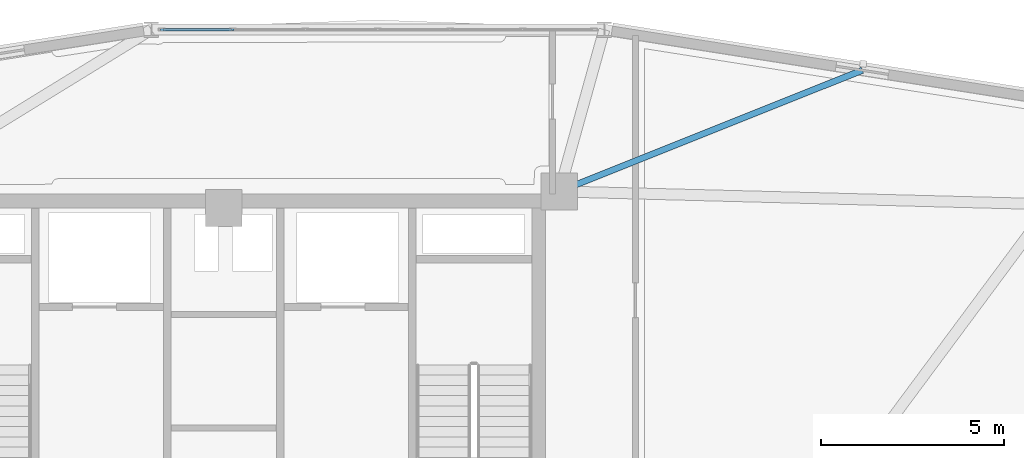
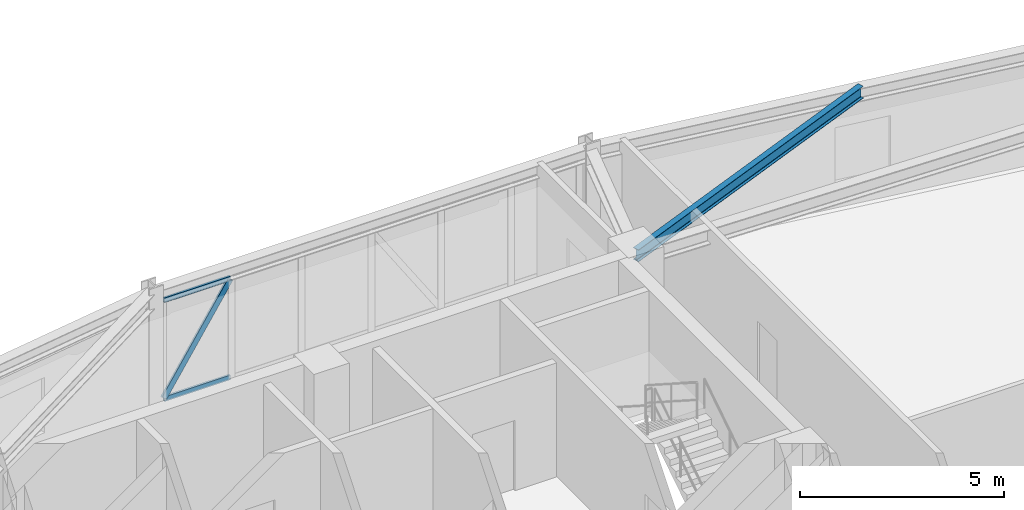
# One storey, part 9 of 18: 3 members, 1 beam, 1 element without a shape of its own.
"""IFC4 building model written with IfcOpenShell, lengths in metres."""

from ifc_helpers import new_model, si_unit, derived_unit, direction, frame, origin, origin_2d, place, context, subcontext, project, spatial, hollow_rectangle, i_section, extrude, source, transform, mapped, material, layer, layer_set, material_profile, profile_set, type_object, element, aggregate, save


model = new_model("IFC4")

# Units and contexts
model_context = context("Model", 3, precision=1e-05, world=origin(), true_north=direction((0.0, 1.0)))
body_context = subcontext(model_context, "Body", "Model", "MODEL_VIEW")
ifc_project = project(units=[si_unit("LENGTHUNIT", "METRE"), si_unit("AREAUNIT", "SQUARE_METRE"), si_unit("VOLUMEUNIT", "CUBIC_METRE"), si_unit("PLANEANGLEUNIT", "RADIAN"), si_unit("MASSUNIT", "GRAM", prefix="KILO"), derived_unit("THERMALTRANSMITTANCEUNIT", [(si_unit("POWERUNIT", "WATT"), 1), (si_unit("LENGTHUNIT", "METRE"), -2), (si_unit("THERMODYNAMICTEMPERATUREUNIT", "KELVIN"), -1)])], contexts=[model_context])

# Site, building, storey
site_placement = place(None, origin())
site = spatial("IfcSite", under=ifc_project, at=site_placement, CompositionType="ELEMENT")
building_placement = place(site_placement, origin())
building = spatial("IfcBuilding", under=site, at=building_placement, Name="Korsvarv Bourse and Concert Hall", CompositionType="ELEMENT")
storey_placement = place(building_placement, frame((0.0, 0.0, 209.39990234375)))
storey = spatial("IfcBuildingStorey", under=building, at=storey_placement, Name="L54", CompositionType="ELEMENT", Elevation=209.39990234375)

# Beam
ifc_material_1 = material(Name="Steel S355", Category="steel")
ifc_material_profile_1 = material_profile(ifc_material_1, i_section(OverallWidth=0.169921875, OverallDepth=0.360107421875, WebThickness=0.008056640625, FlangeThickness=0.0126953125, FilletRadius=0.01806640625, at=origin_2d()), Name="IPE 360")
ifc_profile_set_1 = profile_set([ifc_material_profile_1], Name="Steel S355")
beam_type = type_object("IfcBeamType", Name="BM-IPE360", PredefinedType="JOIST", material=ifc_profile_set_1)
shared_shape_1 = source(origin(), body_context, "Body", "SweptSolid", [
    extrude(i_section(OverallWidth=0.169921875, OverallDepth=0.360107421875, WebThickness=0.008056640625, FlangeThickness=0.0126953125, FilletRadius=0.01806640625, at=origin_2d()), origin(), (0.0, 0.0, 1.0), 8.89892578125),
])
beam_placement = place(storey_placement, frame((53.412353515625, 50.5546875, 3.22998046875), z_axis=(-0.928488042931, -0.371362294983, 0.0), x_axis=(0.371362294983, -0.928488042931, 0.0)))
element("IfcBeam", 1, at=beam_placement, inside=storey, type_object=beam_type, Name="L54 beam J-06", PredefinedType="JOIST", context=body_context, shape_type="MappedRepresentation", body=[
    mapped(shared_shape_1, transform((0.0, 0.0, 0.0), scale=1.0)),
])

# Curtain wall, members
ifc_material_2 = material(Name="Anodised aluminium and triple low-E glazing", Category="glass")
ifc_layer = layer(ifc_material_2, 0.199951171875)
ifc_layer_set = layer_set([ifc_layer], Name="Anodised aluminium and triple low-E glazing")
curtain_wall_type = type_object("IfcCurtainWallType", Name="CW-SYS-3", PredefinedType="NOTDEFINED", material=ifc_layer_set)
curtain_wall_placement = place(storey_placement, origin())
curtain_wall = element("IfcCurtainWall", 2, at=curtain_wall_placement, inside=storey, type_object=curtain_wall_type, Name="L54 CW3 curtain wall CW-L54-F03", PredefinedType="NOTDEFINED")
ifc_material_3 = material(Name="Extruded aluminium EN AW-6063 T66", Category="aluminium")
ifc_material_profile_2 = material_profile(ifc_material_3, hollow_rectangle(XDim=0.06494140625, YDim=0.139892578125, WallThickness=0.00390625, at=origin_2d()), Name="ALU-T 65x140")
ifc_profile_set_2 = profile_set([ifc_material_profile_2], Name="Extruded aluminium EN AW-6063 T66")
member_type_1 = type_object("IfcMemberType", Name="CWT-140", PredefinedType="USERDEFINED", material=ifc_profile_set_2)
shared_shape_2 = source(origin(), body_context, "Body", "SweptSolid", [
    extrude(hollow_rectangle(XDim=0.06494140625, YDim=0.139892578125, WallThickness=0.00390625, at=origin_2d()), origin(), (0.0, 0.0, 1.0), 1.86962890625),
])
member_1_placement = place(storey_placement, frame((36.2158203125, 51.66162109375, 0.03271484375), z_axis=(-1.0, 0.0, 0.0), x_axis=(0.0, -1.0, 0.0)))
member_1 = element("IfcMember", 3, at=member_1_placement, type_object=member_type_1, Name="CW3 transom 6.1", ObjectType="TRANSOM", PredefinedType="USERDEFINED", context=body_context, shape_type="MappedRepresentation", body=[
    mapped(shared_shape_2, transform((0.0, 0.0, 0.0), scale=1.0)),
])
member_2_placement = place(storey_placement, frame((36.2158203125, 51.66162109375, 2.987548828125), z_axis=(-1.0, 0.0, 0.0), x_axis=(0.0, -1.0, 0.0)))
member_2 = element("IfcMember", 4, at=member_2_placement, type_object=member_type_1, Name="CW3 transom 6.2", ObjectType="TRANSOM", PredefinedType="USERDEFINED", context=body_context, shape_type="MappedRepresentation", body=[
    mapped(shared_shape_2, transform((0.0, 0.0, 0.0), scale=1.0)),
])
ifc_material_profile_3 = material_profile(ifc_material_3, hollow_rectangle(XDim=0.06494140625, YDim=0.1650390625, WallThickness=0.0048828125, at=origin_2d()), Name="ALU-M 65x165")
ifc_profile_set_3 = profile_set([ifc_material_profile_3], Name="Extruded aluminium EN AW-6063 T66")
member_type_2 = type_object("IfcMemberType", Name="CWM-165", PredefinedType="MULLION", material=ifc_profile_set_3)
shared_shape_3 = source(origin(), body_context, "Body", "SweptSolid", [
    extrude(hollow_rectangle(XDim=0.06494140625, YDim=0.1650390625, WallThickness=0.0048828125, at=origin_2d()), origin(), (0.0, 0.0, 1.0), 3.44189453125),
])
member_3_placement = place(storey_placement, frame((34.34619140625, 51.66162109375, 0.065185546875), z_axis=(0.543189514826, 0.0, 0.839610118438), x_axis=(0.0, 1.0, 0.0)))
member_3 = element("IfcMember", 5, at=member_3_placement, type_object=member_type_2, Name="CW3 diagonal mullion 6", PredefinedType="MULLION", context=body_context, shape_type="MappedRepresentation", body=[
    mapped(shared_shape_3, transform((0.0, 0.0, 0.0), scale=1.0)),
])
aggregate(curtain_wall, [member_1, member_2, member_3])

save(model, "model.ifc")
